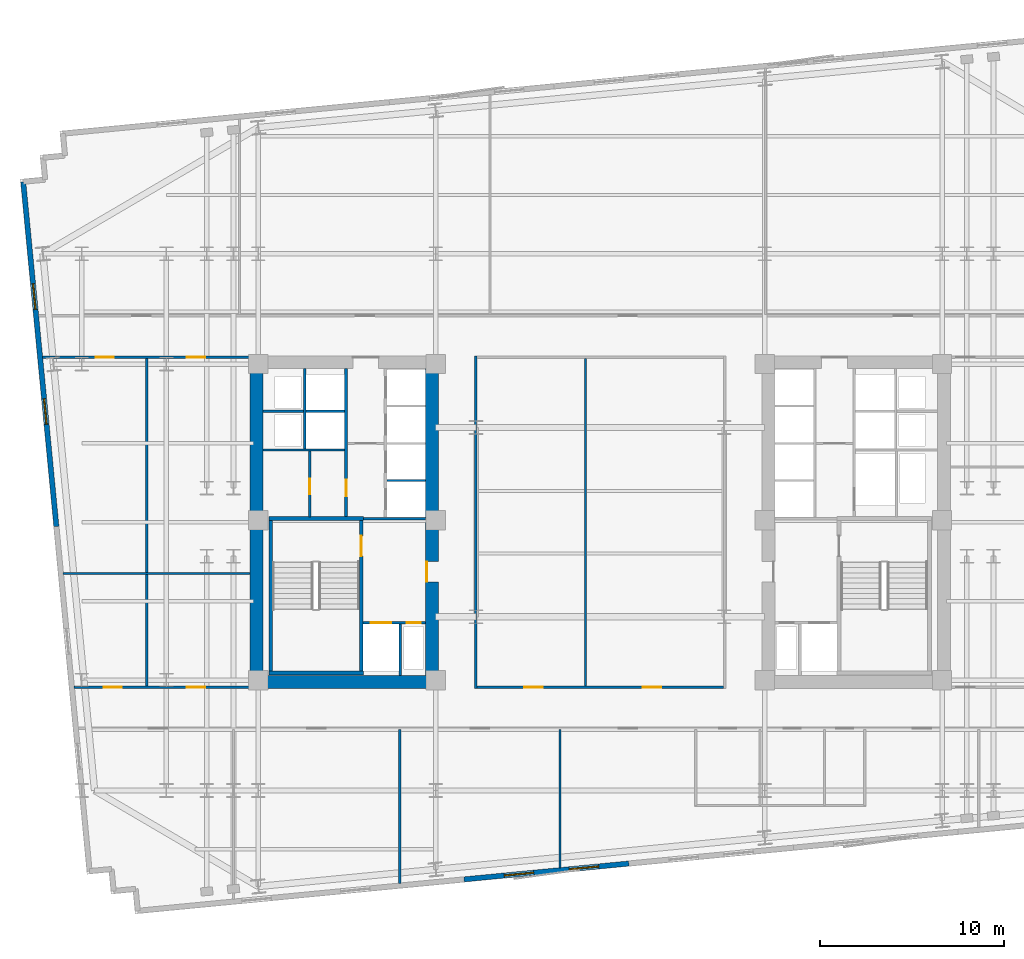
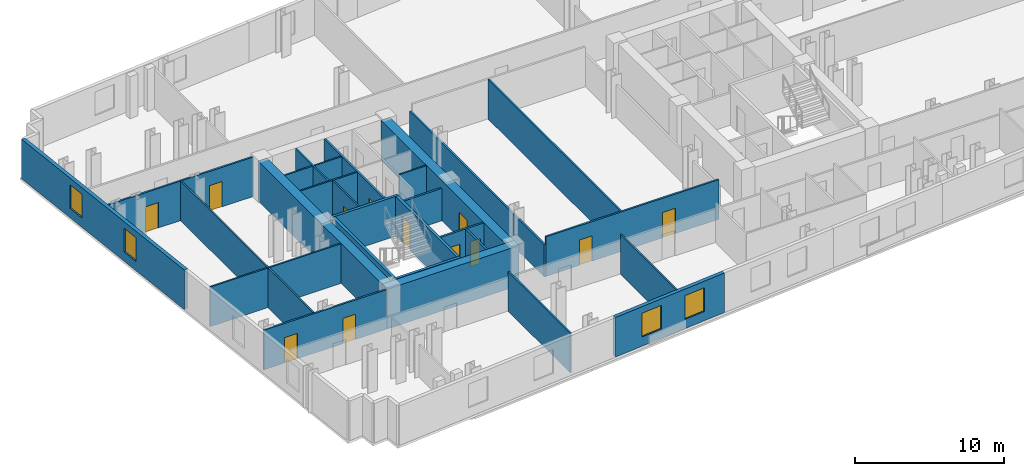
# One storey, part 4 of 10: 28 walls, 12 doors, 4 windows, 16 openings.
"""IFC4 building model written with IfcOpenShell, lengths in metres."""

from ifc_helpers import new_model, si_unit, direction, frame, frame_2d, origin, place, context, subcontext, project, spatial, rectangle, extrude, material, layer, layer_set, type_object, element, fill, save


model = new_model("IFC4")

# Units and contexts
model_context = context("Model", 3, precision=1e-05, world=origin(), true_north=direction((0.0, 1.0)))
body_context = subcontext(model_context, "Body", "Model", "MODEL_VIEW")
ifc_project = project(units=[si_unit("LENGTHUNIT", "METRE"), si_unit("AREAUNIT", "SQUARE_METRE"), si_unit("VOLUMEUNIT", "CUBIC_METRE"), si_unit("PLANEANGLEUNIT", "RADIAN"), si_unit("MASSUNIT", "GRAM", prefix="KILO")], contexts=[model_context])

# Site, building, storey
site_placement = place(None, origin())
site = spatial("IfcSite", under=ifc_project, at=site_placement, CompositionType="ELEMENT")
building_placement = place(site_placement, origin())
building = spatial("IfcBuilding", under=site, at=building_placement, Name="Velakula Bourse", CompositionType="ELEMENT")
storey_placement = place(building_placement, frame((0.0, 0.0, 88.0)))
storey = spatial("IfcBuildingStorey", under=building, at=storey_placement, Name="L23", CompositionType="ELEMENT", Elevation=88.0)

# Wall, opening, door
ifc_material_1 = material(Name="Concrete M50 (fck 50 MPa)", Category="concrete")
ifc_layer_1 = layer(ifc_material_1, 0.2099609375, Name="Concrete M50 (fck 50 MPa)", Category="concrete")
ifc_layer_set_1 = layer_set([ifc_layer_1], Name="Concrete M50 (fck 50 MPa)")
wall_type_1 = type_object("IfcWallType", Name="WL-CORE-210", PredefinedType="SHEAR", material=ifc_layer_set_1)
wall_1_placement = place(storey_placement, frame((-12.9951171875, -8.10009765625, 0.0), z_axis=(0.0, 0.0, 1.0), x_axis=(0.0, 1.0, 0.0)))
wall_1 = element("IfcWall", 1, at=wall_1_placement, inside=storey, type_object=wall_type_1, Name="L23 Core W Stairwell Shear Wall IN", PredefinedType="SHEAR", context=body_context, shape_type="SweptSolid", body=[
    extrude(rectangle(XDim=8.2001953125, YDim=0.2099609375, at=frame_2d((4.10009765625, 0.0))), origin(), (0.0, 0.0, 1.0), 3.27001953125),
])
opening_1_placement = place(wall_1_placement, frame((6.25, 0.0, 0.0)))
opening_1 = element("IfcOpeningElement", 2, at=opening_1_placement, cuts=wall_1, Name="Opening D-STW1", PredefinedType="OPENING", context=body_context, shape_type="SweptSolid", body=[
    extrude(rectangle(XDim=1.10009765625, YDim=2.14990234375, at=frame_2d((0.550048828125, 1.074951171875))), frame((0.0, 0.114990234375, 0.0), z_axis=(0.0, -1.0, 0.0), x_axis=(1.0, 0.0, 0.0)), (0.0, 0.0, 1.0), 0.22998046875),
])
ifc_material_2 = material(Name="Galvanised painted hollow steel fire door", Category="steel")
door_type_1 = type_object("IfcDoorType", Name="DR-FD120-1100x2150", OperationType="NOTDEFINED", PredefinedType="DOOR", material=ifc_material_2)
door_1_placement = place(opening_1_placement, origin())
door_1 = element("IfcDoor", 3, at=door_1_placement, inside=storey, type_object=door_type_1, Name="L23 Stair ST-W1 Fire Door", OperationType="SINGLE_SWING_LEFT", OverallHeight=2.14990234375, OverallWidth=1.10009765625, PredefinedType="DOOR", context=body_context, shape_type="SweptSolid", body=[
    extrude(rectangle(XDim=1.10009765625, YDim=2.14990234375, at=frame_2d((0.550048828125, 1.074951171875))), frame((0.0, 0.02490234375, 0.0), z_axis=(0.0, -1.0, 0.0), x_axis=(1.0, 0.0, 0.0)), (0.0, 0.0, 1.0), 0.050048828125),
])
fill(opening_1, door_1)

# Walls
wall_2_placement = place(storey_placement, frame((-17.925048828125, -8.10009765625, 0.0), z_axis=(0.0, 0.0, 1.0), x_axis=(0.0, 1.0, 0.0)))
element("IfcWall", 4, at=wall_2_placement, inside=storey, type_object=wall_type_1, Name="L23 Core W Stairwell Shear Wall OUT", PredefinedType="SHEAR", context=body_context, shape_type="SweptSolid", body=[
    extrude(rectangle(XDim=8.2001953125, YDim=0.2099609375, at=frame_2d((4.10009765625, 0.0))), origin(), (0.0, 0.0, 1.0), 3.27001953125),
])
for number, where, z_axis, x_axis, name in (
    (5, (-18.030029296875, -8.205078125, 0.0), (0.0, 0.0, 1.0), (1.0, 0.0, 0.0), "L23 Core W Stairwell Shear Wall S"),
    (6, (-12.889892578125, 0.205078125, 0.0), (0.0, 0.0, 1.0), (-1.0, 0.0, 0.0), "L23 Core W Stairwell Shear Wall N"),
):
    element("IfcWall", number, at=place(storey_placement, frame(where, z_axis=z_axis, x_axis=x_axis)), inside=storey, type_object=wall_type_1, Name=name, PredefinedType="SHEAR", context=body_context, shape_type="SweptSolid", body=[
        extrude(rectangle(XDim=5.14013671875, YDim=0.2099609375, at=frame_2d((2.570068359375, 0.0))), origin(), (0.0, 0.0, 1.0), 3.27001953125),
    ])
ifc_material_3 = material(Name="Concrete M70 (fck 70 MPa)", Category="concrete")
ifc_layer_2 = layer(ifc_material_3, 0.699951171875, Name="Concrete M70 (fck 70 MPa)", Category="concrete")
ifc_layer_set_2 = layer_set([ifc_layer_2], Name="Concrete M70 (fck 70 MPa)")
wall_type_2 = type_object("IfcWallType", Name="WL-CORE-700", PredefinedType="SHEAR", material=ifc_layer_set_2)
wall_3_placement = place(storey_placement, frame((-19.050048828125, -8.699951171875, 0.0), z_axis=(0.0, 0.0, 1.0), x_axis=(1.0, 0.0, 0.0)))
element("IfcWall", 7, at=wall_3_placement, inside=storey, type_object=wall_type_2, Name="L23 Core W Shear Wall S", PredefinedType="SHEAR", context=body_context, shape_type="SweptSolid", body=[
    extrude(rectangle(XDim=10.25, YDim=0.699951171875, at=frame_2d((5.125, 0.0))), origin(), (0.0, 0.0, 1.0), 3.27001953125),
])
wall_4_placement = place(storey_placement, frame((-18.699951171875, -8.35009765625, 0.0), z_axis=(0.0, 0.0, 1.0), x_axis=(0.0, 1.0, 0.0)))
element("IfcWall", 8, at=wall_4_placement, inside=storey, type_object=wall_type_2, Name="L23 Core W Shear Wall W", PredefinedType="SHEAR", context=body_context, shape_type="SweptSolid", body=[
    extrude(rectangle(XDim=16.7001953125, YDim=0.699951171875, at=frame_2d((8.35009765625, 0.0))), origin(), (0.0, 0.0, 1.0), 3.27001953125),
])

# Wall, opening, door
wall_5_placement = place(storey_placement, frame((-9.14990234375, -8.35009765625, 0.0), z_axis=(0.0, 0.0, 1.0), x_axis=(0.0, 1.0, 0.0)))
wall_5 = element("IfcWall", 9, at=wall_5_placement, inside=storey, type_object=wall_type_2, Name="L23 Core W Shear Wall E", PredefinedType="SHEAR", context=body_context, shape_type="SweptSolid", body=[
    extrude(rectangle(XDim=16.7001953125, YDim=0.699951171875, at=frame_2d((8.35009765625, 0.0))), origin(), (0.0, 0.0, 1.0), 3.27001953125),
])
opening_2_placement = place(wall_5_placement, frame((5.10009765625, 0.0, 0.0)))
opening_2 = element("IfcOpeningElement", 10, at=opening_2_placement, cuts=wall_5, Name="Opening D-FLW", PredefinedType="OPENING", context=body_context, shape_type="SweptSolid", body=[
    extrude(rectangle(XDim=1.10009765625, YDim=2.080078125, at=frame_2d((0.550048828125, 1.0400390625))), frame((0.0, 0.35986328125, 0.0), z_axis=(0.0, -1.0, 0.0), x_axis=(1.0, 0.0, 0.0)), (0.0, 0.0, 1.0), 0.719970703125),
])
door_type_2 = type_object("IfcDoorType", Name="DR-FD120-1100", OperationType="NOTDEFINED", PredefinedType="DOOR", material=ifc_material_2)
door_2_placement = place(opening_2_placement, origin())
door_2 = element("IfcDoor", 11, at=door_2_placement, inside=storey, type_object=door_type_2, Name="L23 Firefighting Lobby W Corridor Fire Door", OperationType="SINGLE_SWING_LEFT", OverallHeight=2.080078125, OverallWidth=1.10009765625, PredefinedType="DOOR", context=body_context, shape_type="SweptSolid", body=[
    extrude(rectangle(XDim=1.10009765625, YDim=2.080078125, at=frame_2d((0.550048828125, 1.0400390625))), frame((0.0, 0.30517578125, 0.0), z_axis=(0.0, -1.0, 0.0), x_axis=(1.0, 0.0, 0.0)), (0.0, 0.0, 1.0), 0.050048828125),
])
fill(opening_2, door_2)

# Wall, openings, windows
ifc_material_4 = material(Name="Red kilned clay facing brick masonry", Category="masonry")
ifc_layer_3 = layer(ifc_material_4, 0.280029296875, Name="Red kilned clay facing brick masonry", Category="masonry")
ifc_layer_set_3 = layer_set([ifc_layer_3], Name="Red kilned clay facing brick masonry")
wall_type_3 = type_object("IfcWallType", Name="WL-EXT-BRK-280", PredefinedType="STANDARD", material=ifc_layer_set_3)
wall_6_placement = place(storey_placement, frame((1.556396484375, -18.573486328125, 0.0), z_axis=(0.0, 0.0, 1.0), x_axis=(-0.995396794462, -0.09583956164, 0.0)))
wall_6 = element("IfcWall", 12, at=wall_6_placement, inside=storey, type_object=wall_type_3, Name="L23 S Brick Spandrel Wall B2", PredefinedType="STANDARD", context=body_context, shape_type="SweptSolid", body=[
    extrude(rectangle(XDim=9.0, YDim=0.280029296875, at=frame_2d((4.5, 0.0))), origin(), (0.0, 0.0, 1.0), 3.25),
])
opening_3_placement = place(wall_6_placement, frame((1.64990234375, 0.0, 0.760009765625)))
opening_3 = element("IfcOpeningElement", 13, at=opening_3_placement, cuts=wall_6, Name="Opening W-02", PredefinedType="OPENING", context=body_context, shape_type="SweptSolid", body=[
    extrude(rectangle(XDim=1.60009765625, YDim=1.949951171875, at=frame_2d((0.800048828125, 0.97509765625))), frame((0.0, 0.14990234375, 0.0), z_axis=(0.0, -1.0, 0.0), x_axis=(1.0, 0.0, 0.0)), (0.0, 0.0, 1.0), 0.300048828125),
])
opening_4_placement = place(wall_6_placement, frame((5.199951171875, 0.0, 0.760009765625)))
opening_4 = element("IfcOpeningElement", 14, at=opening_4_placement, cuts=wall_6, Name="Opening W-02", PredefinedType="OPENING", context=body_context, shape_type="SweptSolid", body=[
    extrude(rectangle(XDim=1.60009765625, YDim=1.949951171875, at=frame_2d((0.800048828125, 0.97509765625))), frame((0.0, 0.14990234375, 0.0), z_axis=(0.0, -1.0, 0.0), x_axis=(1.0, 0.0, 0.0)), (0.0, 0.0, 1.0), 0.300048828125),
])
ifc_material_5 = material(Name="Double-glazed solar-control Low-E glass", Category="glass")
window_type_1 = type_object("IfcWindowType", Name="WIN-TWR-1600x2100", PartitioningType="SINGLE_PANEL", PredefinedType="WINDOW", material=ifc_material_5)
window_1_placement = place(opening_3_placement, origin())
window_1 = element("IfcWindow", 15, at=window_1_placement, inside=storey, type_object=window_type_1, Name="L23 Deep-Set Recessed Window 1", OverallHeight=1.949951171875, OverallWidth=1.60009765625, PartitioningType="SINGLE_PANEL", PredefinedType="WINDOW", context=body_context, shape_type="SweptSolid", body=[
    extrude(rectangle(XDim=1.60009765625, YDim=1.949951171875, at=frame_2d((0.800048828125, 0.97509765625))), frame((0.0, 0.030029296875, 0.0), z_axis=(0.0, -1.0, 0.0), x_axis=(1.0, 0.0, 0.0)), (0.0, 0.0, 1.0), 0.06005859375),
])
fill(opening_3, window_1)
window_2_placement = place(opening_4_placement, origin())
window_2 = element("IfcWindow", 16, at=window_2_placement, inside=storey, type_object=window_type_1, Name="L23 Deep-Set Recessed Window 2", OverallHeight=1.949951171875, OverallWidth=1.60009765625, PartitioningType="SINGLE_PANEL", PredefinedType="WINDOW", context=body_context, shape_type="SweptSolid", body=[
    extrude(rectangle(XDim=1.60009765625, YDim=1.949951171875, at=frame_2d((0.800048828125, 0.97509765625))), frame((0.0, 0.030029296875, 0.0), z_axis=(0.0, -1.0, 0.0), x_axis=(1.0, 0.0, 0.0)), (0.0, 0.0, 1.0), 0.06005859375),
])
fill(opening_4, window_2)

wall_7_placement = place(storey_placement, frame((-29.584716796875, -0.23388671875, 0.0), z_axis=(0.0, 0.0, 1.0), x_axis=(-0.095841297881, 0.99539662729, 0.0)))
wall_7 = element("IfcWall", 17, at=wall_7_placement, inside=storey, type_object=wall_type_3, Name="L23 W Brick End Wall W2", PredefinedType="STANDARD", context=body_context, shape_type="SweptSolid", body=[
    extrude(rectangle(XDim=18.840087890625, YDim=0.280029296875, at=frame_2d((9.419921875, 0.0))), origin(), (0.0, 0.0, 1.0), 3.25),
])
opening_5_placement = place(wall_7_placement, frame((5.580078125, 0.0, 0.760009765625)))
opening_5 = element("IfcOpeningElement", 18, at=opening_5_placement, cuts=wall_7, Name="Opening W-03", PredefinedType="OPENING", context=body_context, shape_type="SweptSolid", body=[
    extrude(rectangle(XDim=1.39990234375, YDim=1.949951171875, at=frame_2d((0.699951171875, 0.97509765625))), frame((0.0, 0.14990234375, 0.0), z_axis=(0.0, -1.0, 0.0), x_axis=(1.0, 0.0, 0.0)), (0.0, 0.0, 1.0), 0.300048828125),
])
opening_6_placement = place(wall_7_placement, frame((11.860107421875, 0.0, 0.760009765625)))
opening_6 = element("IfcOpeningElement", 19, at=opening_6_placement, cuts=wall_7, Name="Opening W-03", PredefinedType="OPENING", context=body_context, shape_type="SweptSolid", body=[
    extrude(rectangle(XDim=1.39990234375, YDim=1.949951171875, at=frame_2d((0.699951171875, 0.97509765625))), frame((0.0, 0.14990234375, 0.0), z_axis=(0.0, -1.0, 0.0), x_axis=(1.0, 0.0, 0.0)), (0.0, 0.0, 1.0), 0.300048828125),
])
window_type_2 = type_object("IfcWindowType", Name="WIN-TWR-1400x2100", PartitioningType="SINGLE_PANEL", PredefinedType="WINDOW", material=ifc_material_5)
window_3_placement = place(opening_5_placement, origin())
window_3 = element("IfcWindow", 20, at=window_3_placement, inside=storey, type_object=window_type_2, Name="L23 Deep-Set Recessed Window 1", OverallHeight=1.949951171875, OverallWidth=1.39990234375, PartitioningType="SINGLE_PANEL", PredefinedType="WINDOW", context=body_context, shape_type="SweptSolid", body=[
    extrude(rectangle(XDim=1.39990234375, YDim=1.949951171875, at=frame_2d((0.699951171875, 0.97509765625))), frame((0.0, 0.030029296875, 0.0), z_axis=(0.0, -1.0, 0.0), x_axis=(1.0, 0.0, 0.0)), (0.0, 0.0, 1.0), 0.06005859375),
])
fill(opening_5, window_3)
window_4_placement = place(opening_6_placement, origin())
window_4 = element("IfcWindow", 21, at=window_4_placement, inside=storey, type_object=window_type_2, Name="L23 Deep-Set Recessed Window 2", OverallHeight=1.949951171875, OverallWidth=1.39990234375, PartitioningType="SINGLE_PANEL", PredefinedType="WINDOW", context=body_context, shape_type="SweptSolid", body=[
    extrude(rectangle(XDim=1.39990234375, YDim=1.949951171875, at=frame_2d((0.699951171875, 0.97509765625))), frame((0.0, 0.030029296875, 0.0), z_axis=(0.0, -1.0, 0.0), x_axis=(1.0, 0.0, 0.0)), (0.0, 0.0, 1.0), 0.06005859375),
])
fill(opening_6, window_4)

# Walls
ifc_material_6 = material(Name="Fire-rated double-layer gypsum drywall partition", Category="gypsum")
ifc_layer_4 = layer(ifc_material_6, 0.1201171875, Name="Fire-rated double-layer gypsum drywall partition", Category="gypsum")
ifc_layer_set_4 = layer_set([ifc_layer_4], Name="Fire-rated double-layer gypsum drywall partition")
wall_type_4 = type_object("IfcWallType", Name="WL-PART-120", PredefinedType="STANDARD", material=ifc_layer_set_4)
wall_8_placement = place(storey_placement, frame((-11.60009765625, 2.2548828125, 0.0), z_axis=(0.0, 0.0, 1.0), x_axis=(1.0, 0.0, 0.0)))
element("IfcWall", 22, at=wall_8_placement, inside=storey, type_object=wall_type_4, Name="L23 Interior Partition WL-CRW-L23-BDIV-0", PredefinedType="STANDARD", context=body_context, shape_type="SweptSolid", body=[
    extrude(rectangle(XDim=2.10009765625, YDim=0.110107421875, at=frame_2d((1.050048828125, 0.0))), origin(), (0.0, 0.0, 1.0), 3.25),
])
wall_9_placement = place(storey_placement, frame((-18.35009765625, 3.919921875, 0.0), z_axis=(0.0, 0.0, 1.0), x_axis=(1.0, 0.0, 0.0)))
element("IfcWall", 23, at=wall_9_placement, inside=storey, type_object=wall_type_4, Name="L23 Interior Partition WL-CRW-L23-HI-S", PredefinedType="STANDARD", context=body_context, shape_type="SweptSolid", body=[
    extrude(rectangle(XDim=4.4501953125, YDim=0.1201171875, at=frame_2d((2.22509765625, 0.0))), origin(), (0.0, 0.0, 1.0), 3.25),
])
wall_10_placement = place(storey_placement, frame((-18.35009765625, 6.030029296875, 0.0), z_axis=(0.0, 0.0, 1.0), x_axis=(1.0, 0.0, 0.0)))
element("IfcWall", 24, at=wall_10_placement, inside=storey, type_object=wall_type_4, Name="L23 Interior Partition WL-CRW-L23-RIS-MID", PredefinedType="STANDARD", context=body_context, shape_type="SweptSolid", body=[
    extrude(rectangle(XDim=2.2001953125, YDim=0.1201171875, at=frame_2d((1.10009765625, 0.0))), origin(), (0.0, 0.0, 1.0), 3.25),
])
wall_11_placement = place(storey_placement, frame((-16.074951171875, 3.97998046875, 0.0), z_axis=(0.0, 0.0, 1.0), x_axis=(0.0, 1.0, 0.0)))
element("IfcWall", 25, at=wall_11_placement, inside=storey, type_object=wall_type_4, Name="L23 Interior Partition WL-CRW-L23-RIS-F", PredefinedType="STANDARD", context=body_context, shape_type="SweptSolid", body=[
    extrude(rectangle(XDim=4.3701171875, YDim=0.1201171875, at=frame_2d((2.18505859375, 0.0))), origin(), (0.0, 0.0, 1.0), 3.25),
])
wall_12_placement = place(storey_placement, frame((-16.0, 6.030029296875, 0.0), z_axis=(0.0, 0.0, 1.0), x_axis=(1.0, 0.0, 0.0)))
element("IfcWall", 26, at=wall_12_placement, inside=storey, type_object=wall_type_4, Name="L23 Interior Partition WL-CRW-L23-HI-DIV", PredefinedType="STANDARD", context=body_context, shape_type="SweptSolid", body=[
    extrude(rectangle(XDim=2.10009765625, YDim=0.1201171875, at=frame_2d((1.050048828125, 0.0))), origin(), (0.0, 0.0, 1.0), 3.25),
])

# Wall, opening, door
wall_13_placement = place(storey_placement, frame((-15.800048828125, 0.27001953125, 0.0), z_axis=(0.0, 0.0, 1.0), x_axis=(0.0, 1.0, 0.0)))
wall_13 = element("IfcWall", 27, at=wall_13_placement, inside=storey, type_object=wall_type_4, Name="L23 Interior Partition WL-CRW-L23-K2", PredefinedType="STANDARD", context=body_context, shape_type="SweptSolid", body=[
    extrude(rectangle(XDim=3.590087890625, YDim=0.1201171875, at=frame_2d((1.794921875, 0.0))), origin(), (0.0, 0.0, 1.0), 3.25),
])
opening_7_placement = place(wall_13_placement, frame((1.25, 0.0, 0.0)))
opening_7 = element("IfcOpeningElement", 28, at=opening_7_placement, cuts=wall_13, Name="Opening D-CE1", PredefinedType="OPENING", context=body_context, shape_type="SweptSolid", body=[
    extrude(rectangle(XDim=0.85009765625, YDim=2.050048828125, at=frame_2d((0.425048828125, 1.02490234375))), frame((0.0, 0.070068359375, 0.0), z_axis=(0.0, -1.0, 0.0), x_axis=(1.0, 0.0, 0.0)), (0.0, 0.0, 1.0), 0.14013671875),
])
ifc_material_7 = material(Name="Fire-rated hardwood flush architectural door", Category="wood")
door_type_3 = type_object("IfcDoorType", Name="DR-INT-850", OperationType="NOTDEFINED", PredefinedType="DOOR", material=ifc_material_7)
door_3_placement = place(opening_7_placement, origin())
door_3 = element("IfcDoor", 29, at=door_3_placement, inside=storey, type_object=door_type_3, Name="L23 Core Equipment Store Door", OperationType="SINGLE_SWING_RIGHT", OverallHeight=2.050048828125, OverallWidth=0.85009765625, PredefinedType="DOOR", context=body_context, shape_type="SweptSolid", body=[
    extrude(rectangle(XDim=0.85009765625, YDim=2.050048828125, at=frame_2d((0.425048828125, 1.02490234375))), frame((0.0, 0.02490234375, 0.0), z_axis=(0.0, -1.0, 0.0), x_axis=(1.0, 0.0, 0.0)), (0.0, 0.0, 1.0), 0.050048828125),
])
fill(opening_7, door_3)

# Walls
wall_14_placement = place(storey_placement, frame((-10.89892578125, -19.65234375, 0.0), z_axis=(0.0, 0.0, 1.0), x_axis=(0.0, 1.0, 0.0)))
element("IfcWall", 30, at=wall_14_placement, inside=storey, type_object=wall_type_4, Name="L23 Interior Partition WL-INT-L23-SL-D6", PredefinedType="STANDARD", context=body_context, shape_type="SweptSolid", body=[
    extrude(rectangle(XDim=8.3623046875, YDim=0.1201171875, at=frame_2d((4.18115234375, 0.0))), origin(), (0.0, 0.0, 1.0), 3.25),
])
wall_15_placement = place(storey_placement, frame((-2.178955078125, -18.812744140625, 0.0), z_axis=(0.0, 0.0, 1.0), x_axis=(0.0, 1.0, 0.0)))
element("IfcWall", 31, at=wall_15_placement, inside=storey, type_object=wall_type_4, Name="L23 Interior Partition WL-INT-L23-SL-D7", PredefinedType="STANDARD", context=body_context, shape_type="SweptSolid", body=[
    extrude(rectangle(XDim=7.522705078125, YDim=0.1201171875, at=frame_2d((3.76123046875, 0.0))), origin(), (0.0, 0.0, 1.0), 3.25),
])
wall_16_placement = place(storey_placement, frame((-29.217041015625, -2.800048828125, 0.0), z_axis=(0.0, 0.0, 1.0), x_axis=(1.0, 0.0, 0.0)))
element("IfcWall", 32, at=wall_16_placement, inside=storey, type_object=wall_type_4, Name="L23 Interior Partition WL-INT-L23-W-H", PredefinedType="STANDARD", context=body_context, shape_type="SweptSolid", body=[
    extrude(rectangle(XDim=10.1669921875, YDim=0.1201171875, at=frame_2d((5.08349609375, 0.0))), origin(), (0.0, 0.0, 1.0), 3.25),
])
wall_17_placement = place(storey_placement, frame((-24.6708984375, -8.97998046875, 0.0), z_axis=(0.0, 0.0, 1.0), x_axis=(0.0, 1.0, 0.0)))
element("IfcWall", 33, at=wall_17_placement, inside=storey, type_object=wall_type_4, Name="L23 Interior Partition WL-INT-L23-W-V1", PredefinedType="STANDARD", context=body_context, shape_type="SweptSolid", body=[
    extrude(rectangle(XDim=17.9599609375, YDim=0.1201171875, at=frame_2d((8.97998046875, 0.0))), origin(), (0.0, 0.0, 1.0), 3.25),
])

# Wall, openings, doors
ifc_layer_5 = layer(ifc_material_6, 0.139892578125, Name="Fire-rated double-layer gypsum drywall partition", Category="gypsum")
ifc_layer_set_5 = layer_set([ifc_layer_5], Name="Fire-rated double-layer gypsum drywall partition")
wall_type_5 = type_object("IfcWallType", Name="WL-PART-140", PredefinedType="STANDARD", material=ifc_layer_set_5)
wall_18_placement = place(storey_placement, frame((-30.351318359375, 8.97998046875, 0.0), z_axis=(0.0, 0.0, 1.0), x_axis=(1.0, 0.0, 0.0)))
wall_18 = element("IfcWall", 34, at=wall_18_placement, inside=storey, type_object=wall_type_5, Name="L23 Interior Partition WL-INT-L23-W-NC", PredefinedType="STANDARD", context=body_context, shape_type="SweptSolid", body=[
    extrude(rectangle(XDim=11.30126953125, YDim=0.139892578125, at=frame_2d((5.650634765625, 0.0))), origin(), (0.0, 0.0, 1.0), 3.25),
])
opening_8_placement = place(wall_18_placement, frame((2.900146484375, 0.0, 0.0)))
opening_8 = element("IfcOpeningElement", 35, at=opening_8_placement, cuts=wall_18, Name="Opening D-OF1", PredefinedType="OPENING", context=body_context, shape_type="SweptSolid", body=[
    extrude(rectangle(XDim=1.0, YDim=2.080078125, at=frame_2d((0.5, 1.0400390625))), frame((0.0, 0.079833984375, 0.0), z_axis=(0.0, -1.0, 0.0), x_axis=(1.0, 0.0, 0.0)), (0.0, 0.0, 1.0), 0.159912109375),
])
opening_9_placement = place(wall_18_placement, frame((7.86083984375, 0.0, 0.0)))
opening_9 = element("IfcOpeningElement", 36, at=opening_9_placement, cuts=wall_18, Name="Opening D-OF1", PredefinedType="OPENING", context=body_context, shape_type="SweptSolid", body=[
    extrude(rectangle(XDim=1.0, YDim=2.080078125, at=frame_2d((0.5, 1.0400390625))), frame((0.0, 0.079833984375, 0.0), z_axis=(0.0, -1.0, 0.0), x_axis=(1.0, 0.0, 0.0)), (0.0, 0.0, 1.0), 0.159912109375),
])
door_type_4 = type_object("IfcDoorType", Name="DR-OFF-1000", OperationType="NOTDEFINED", PredefinedType="DOOR", material=ifc_material_7)
door_4_placement = place(opening_8_placement, origin())
door_4 = element("IfcDoor", 37, at=door_4_placement, inside=storey, type_object=door_type_4, Name="L23 Primary Dealer Office Door", OperationType="SINGLE_SWING_LEFT", OverallHeight=2.080078125, OverallWidth=1.0, PredefinedType="DOOR", context=body_context, shape_type="SweptSolid", body=[
    extrude(rectangle(XDim=1.0, YDim=2.080078125, at=frame_2d((0.5, 1.0400390625))), frame((0.0, 0.02490234375, 0.0), z_axis=(0.0, -1.0, 0.0), x_axis=(1.0, 0.0, 0.0)), (0.0, 0.0, 1.0), 0.050048828125),
])
fill(opening_8, door_4)
door_5_placement = place(opening_9_placement, origin())
door_5 = element("IfcDoor", 38, at=door_5_placement, inside=storey, type_object=door_type_4, Name="L23 Arbitration Conference Room Door", OperationType="SINGLE_SWING_RIGHT", OverallHeight=2.080078125, OverallWidth=1.0, PredefinedType="DOOR", context=body_context, shape_type="SweptSolid", body=[
    extrude(rectangle(XDim=1.0, YDim=2.080078125, at=frame_2d((0.5, 1.0400390625))), frame((0.0, 0.02490234375, 0.0), z_axis=(0.0, -1.0, 0.0), x_axis=(1.0, 0.0, 0.0)), (0.0, 0.0, 1.0), 0.050048828125),
])
fill(opening_9, door_5)

wall_19_placement = place(storey_placement, frame((-28.6220703125, -8.97998046875, 0.0), z_axis=(0.0, 0.0, 1.0), x_axis=(1.0, 0.0, 0.0)))
wall_19 = element("IfcWall", 39, at=wall_19_placement, inside=storey, type_object=wall_type_5, Name="L23 Interior Partition WL-INT-L23-W-SC", PredefinedType="STANDARD", context=body_context, shape_type="SweptSolid", body=[
    extrude(rectangle(XDim=9.572021484375, YDim=0.139892578125, at=frame_2d((4.7861328125, 0.0))), origin(), (0.0, 0.0, 1.0), 3.25),
])
opening_10_placement = place(wall_19_placement, frame((1.60546875, 0.0, 0.0)))
opening_10 = element("IfcOpeningElement", 40, at=opening_10_placement, cuts=wall_19, Name="Opening D-OF1", PredefinedType="OPENING", context=body_context, shape_type="SweptSolid", body=[
    extrude(rectangle(XDim=1.0, YDim=2.080078125, at=frame_2d((0.5, 1.0400390625))), frame((0.0, 0.079833984375, 0.0), z_axis=(0.0, -1.0, 0.0), x_axis=(1.0, 0.0, 0.0)), (0.0, 0.0, 1.0), 0.159912109375),
])
opening_11_placement = place(wall_19_placement, frame((6.131591796875, 0.0, 0.0)))
opening_11 = element("IfcOpeningElement", 41, at=opening_11_placement, cuts=wall_19, Name="Opening D-OF1", PredefinedType="OPENING", context=body_context, shape_type="SweptSolid", body=[
    extrude(rectangle(XDim=1.0, YDim=2.080078125, at=frame_2d((0.5, 1.0400390625))), frame((0.0, 0.079833984375, 0.0), z_axis=(0.0, -1.0, 0.0), x_axis=(1.0, 0.0, 0.0)), (0.0, 0.0, 1.0), 0.159912109375),
])
door_6_placement = place(opening_10_placement, origin())
door_6 = element("IfcDoor", 42, at=door_6_placement, inside=storey, type_object=door_type_4, Name="L23 Primary Dealer Office Door", OperationType="SINGLE_SWING_LEFT", OverallHeight=2.080078125, OverallWidth=1.0, PredefinedType="DOOR", context=body_context, shape_type="SweptSolid", body=[
    extrude(rectangle(XDim=1.0, YDim=2.080078125, at=frame_2d((0.5, 1.0400390625))), frame((0.0, 0.02490234375, 0.0), z_axis=(0.0, -1.0, 0.0), x_axis=(1.0, 0.0, 0.0)), (0.0, 0.0, 1.0), 0.050048828125),
])
fill(opening_10, door_6)
door_7_placement = place(opening_11_placement, origin())
door_7 = element("IfcDoor", 43, at=door_7_placement, inside=storey, type_object=door_type_4, Name="L23 Arbitration Conference Room Door", OperationType="SINGLE_SWING_RIGHT", OverallHeight=2.080078125, OverallWidth=1.0, PredefinedType="DOOR", context=body_context, shape_type="SweptSolid", body=[
    extrude(rectangle(XDim=1.0, YDim=2.080078125, at=frame_2d((0.5, 1.0400390625))), frame((0.0, 0.02490234375, 0.0), z_axis=(0.0, -1.0, 0.0), x_axis=(1.0, 0.0, 0.0)), (0.0, 0.0, 1.0), 0.050048828125),
])
fill(opening_11, door_7)

# Wall
wall_20_placement = place(storey_placement, frame((-6.780029296875, -9.050048828125, 0.0), z_axis=(0.0, 0.0, 1.0), x_axis=(0.0, 1.0, 0.0)))
element("IfcWall", 44, at=wall_20_placement, inside=storey, type_object=wall_type_5, Name="L23 Interior Partition WL-INT-L23-MID-W", PredefinedType="STANDARD", context=body_context, shape_type="SweptSolid", body=[
    extrude(rectangle(XDim=18.10009765625, YDim=0.139892578125, at=frame_2d((9.050048828125, 0.0))), origin(), (0.0, 0.0, 1.0), 2.64501953125),
])

# Wall, openings, doors
wall_21_placement = place(storey_placement, frame((-6.7099609375, -8.97998046875, 0.0), z_axis=(0.0, 0.0, 1.0), x_axis=(1.0, 0.0, 0.0)))
wall_21 = element("IfcWall", 45, at=wall_21_placement, inside=storey, type_object=wall_type_5, Name="L23 Interior Partition WL-INT-L23-MID-S", PredefinedType="STANDARD", context=body_context, shape_type="SweptSolid", body=[
    extrude(rectangle(XDim=13.419921875, YDim=0.139892578125, at=frame_2d((6.7099609375, 0.0))), origin(), (0.0, 0.0, 1.0), 3.25),
])
opening_12_placement = place(wall_21_placement, frame((2.5810546875, 0.0, 0.0)))
opening_12 = element("IfcOpeningElement", 46, at=opening_12_placement, cuts=wall_21, Name="Opening D-OF1", PredefinedType="OPENING", context=body_context, shape_type="SweptSolid", body=[
    extrude(rectangle(XDim=1.0, YDim=2.080078125, at=frame_2d((0.5, 1.0400390625))), frame((0.0, 0.079833984375, 0.0), z_axis=(0.0, -1.0, 0.0), x_axis=(1.0, 0.0, 0.0)), (0.0, 0.0, 1.0), 0.159912109375),
])
opening_13_placement = place(wall_21_placement, frame((9.0390625, 0.0, 0.0)))
opening_13 = element("IfcOpeningElement", 47, at=opening_13_placement, cuts=wall_21, Name="Opening D-OF1", PredefinedType="OPENING", context=body_context, shape_type="SweptSolid", body=[
    extrude(rectangle(XDim=1.0, YDim=2.080078125, at=frame_2d((0.5, 1.0400390625))), frame((0.0, 0.079833984375, 0.0), z_axis=(0.0, -1.0, 0.0), x_axis=(1.0, 0.0, 0.0)), (0.0, 0.0, 1.0), 0.159912109375),
])
door_8_placement = place(opening_12_placement, origin())
door_8 = element("IfcDoor", 48, at=door_8_placement, inside=storey, type_object=door_type_4, Name="L23 Central Clearing Workspace West Door", OperationType="SINGLE_SWING_LEFT", OverallHeight=2.080078125, OverallWidth=1.0, PredefinedType="DOOR", context=body_context, shape_type="SweptSolid", body=[
    extrude(rectangle(XDim=1.0, YDim=2.080078125, at=frame_2d((0.5, 1.0400390625))), frame((0.0, 0.02490234375, 0.0), z_axis=(0.0, -1.0, 0.0), x_axis=(1.0, 0.0, 0.0)), (0.0, 0.0, 1.0), 0.050048828125),
])
fill(opening_12, door_8)
door_9_placement = place(opening_13_placement, origin())
door_9 = element("IfcDoor", 49, at=door_9_placement, inside=storey, type_object=door_type_4, Name="L23 Central Arbitration Room East Door", OperationType="SINGLE_SWING_RIGHT", OverallHeight=2.080078125, OverallWidth=1.0, PredefinedType="DOOR", context=body_context, shape_type="SweptSolid", body=[
    extrude(rectangle(XDim=1.0, YDim=2.080078125, at=frame_2d((0.5, 1.0400390625))), frame((0.0, 0.02490234375, 0.0), z_axis=(0.0, -1.0, 0.0), x_axis=(1.0, 0.0, 0.0)), (0.0, 0.0, 1.0), 0.050048828125),
])
fill(opening_13, door_9)

# Wall
wall_22_placement = place(storey_placement, frame((-0.800048828125, -8.909912109375, 0.0), z_axis=(0.0, 0.0, 1.0), x_axis=(0.0, 1.0, 0.0)))
element("IfcWall", 50, at=wall_22_placement, inside=storey, type_object=wall_type_5, Name="L23 Interior Partition WL-INT-L23-MDX", PredefinedType="STANDARD", context=body_context, shape_type="SweptSolid", body=[
    extrude(rectangle(XDim=17.81982421875, YDim=0.1201171875, at=frame_2d((8.909912109375, 0.0))), origin(), (0.0, 0.0, 1.0), 3.25),
])

# Wall, openings, doors
ifc_material_8 = material(Name="Autoclaved aerated concrete blockwork masonry", Category="masonry")
ifc_layer_6 = layer(ifc_material_8, 0.14990234375, Name="Autoclaved aerated concrete blockwork masonry", Category="masonry")
ifc_layer_set_6 = layer_set([ifc_layer_6], Name="Autoclaved aerated concrete blockwork masonry")
wall_type_6 = type_object("IfcWallType", Name="WL-SHAFT-150", PredefinedType="STANDARD", material=ifc_layer_set_6)
wall_23_placement = place(storey_placement, frame((-12.89501953125, -5.47509765625, 0.0), z_axis=(0.0, 0.0, 1.0), x_axis=(1.0, 0.0, 0.0)))
wall_23 = element("IfcWall", 51, at=wall_23_placement, inside=storey, type_object=wall_type_6, Name="L23 Interior Partition WL-CRW-L23-FFL-N", PredefinedType="STANDARD", context=body_context, shape_type="SweptSolid", body=[
    extrude(rectangle(XDim=3.39501953125, YDim=0.14990234375, at=frame_2d((1.697509765625, 0.0))), origin(), (0.0, 0.0, 1.0), 3.25),
])
opening_14_placement = place(wall_23_placement, frame((0.419921875, 0.0, 0.0)))
opening_14 = element("IfcOpeningElement", 52, at=opening_14_placement, cuts=wall_23, Name="Opening LD-FFL-1", PredefinedType="OPENING", context=body_context, shape_type="SweptSolid", body=[
    extrude(rectangle(XDim=1.10009765625, YDim=2.14990234375, at=frame_2d((0.550048828125, 1.074951171875))), frame((0.0, 0.0849609375, 0.0), z_axis=(0.0, -1.0, 0.0), x_axis=(1.0, 0.0, 0.0)), (0.0, 0.0, 1.0), 0.169921875),
])
opening_15_placement = place(wall_23_placement, frame((2.3701171875, 0.0, 0.0)))
opening_15 = element("IfcOpeningElement", 53, at=opening_15_placement, cuts=wall_23, Name="Opening D-RS1", PredefinedType="OPENING", context=body_context, shape_type="SweptSolid", body=[
    extrude(rectangle(XDim=0.75, YDim=2.050048828125, at=frame_2d((0.375, 1.02490234375))), frame((0.0, 0.0849609375, 0.0), z_axis=(0.0, -1.0, 0.0), x_axis=(1.0, 0.0, 0.0)), (0.0, 0.0, 1.0), 0.169921875),
])
door_type_5 = type_object("IfcDoorType", Name="DR-RISER-800", OperationType="NOTDEFINED", PredefinedType="DOOR", material=ifc_material_2)
door_10_placement = place(opening_15_placement, origin())
door_10 = element("IfcDoor", 54, at=door_10_placement, inside=storey, type_object=door_type_5, Name="L23 Fire Riser Access Door", OperationType="SINGLE_SWING_LEFT", OverallHeight=2.050048828125, OverallWidth=0.75, PredefinedType="DOOR", context=body_context, shape_type="SweptSolid", body=[
    extrude(rectangle(XDim=0.75, YDim=2.050048828125, at=frame_2d((0.375, 1.02490234375))), frame((0.0, 0.02490234375, 0.0), z_axis=(0.0, -1.0, 0.0), x_axis=(1.0, 0.0, 0.0)), (0.0, 0.0, 1.0), 0.050048828125),
])
fill(opening_15, door_10)
ifc_material_9 = material(Name="Brushed grade 316 stainless steel", Category="steel")
door_type_6 = type_object("IfcDoorType", Name="DR-SLIDE-FFL-1100", OperationType="DOUBLE_DOOR_SLIDING", PredefinedType="DOOR", material=ifc_material_9)
door_11_placement = place(opening_14_placement, origin())
door_11 = element("IfcDoor", 55, at=door_11_placement, inside=storey, type_object=door_type_6, Name="L23 Firefighting Lift FFL-1 Sliding Landing Door", OperationType="DOUBLE_DOOR_SLIDING", OverallHeight=2.14990234375, OverallWidth=1.10009765625, PredefinedType="DOOR", context=body_context, shape_type="SweptSolid", body=[
    extrude(rectangle(XDim=1.10009765625, YDim=2.14990234375, at=frame_2d((0.550048828125, 1.074951171875))), frame((0.0, 0.02490234375, 0.0), z_axis=(0.0, -1.0, 0.0), x_axis=(1.0, 0.0, 0.0)), (0.0, 0.0, 1.0), 0.050048828125),
])
fill(opening_14, door_11)

# Walls
wall_24_placement = place(storey_placement, frame((-10.875, -8.35009765625, 0.0), z_axis=(0.0, 0.0, 1.0), x_axis=(0.0, 1.0, 0.0)))
element("IfcWall", 56, at=wall_24_placement, inside=storey, type_object=wall_type_6, Name="L23 Interior Partition WL-CRW-L23-FR-DIV", PredefinedType="STANDARD", context=body_context, shape_type="SweptSolid", body=[
    extrude(rectangle(XDim=2.800048828125, YDim=0.14990234375, at=frame_2d((1.39990234375, 0.0))), origin(), (0.0, 0.0, 1.0), 3.25),
])
wall_25_placement = place(storey_placement, frame((-12.889892578125, 0.18994140625, 0.0), z_axis=(0.0, 0.0, 1.0), x_axis=(1.0, 0.0, 0.0)))
element("IfcWall", 57, at=wall_25_placement, inside=storey, type_object=wall_type_6, Name="L23 Interior Partition WL-CRW-L23-FF-TOP", PredefinedType="STANDARD", context=body_context, shape_type="SweptSolid", body=[
    extrude(rectangle(XDim=3.389892578125, YDim=0.14990234375, at=frame_2d((1.69482421875, 0.0))), origin(), (0.0, 0.0, 1.0), 2.64501953125),
])

# Wall, opening, door
wall_26_placement = place(storey_placement, frame((-13.824951171875, 0.27001953125, 0.0), z_axis=(0.0, 0.0, 1.0), x_axis=(0.0, 1.0, 0.0)))
wall_26 = element("IfcWall", 58, at=wall_26_placement, inside=storey, type_object=wall_type_6, Name="L23 Interior Partition WL-CRW-L23-OUT-F", PredefinedType="STANDARD", context=body_context, shape_type="SweptSolid", body=[
    extrude(rectangle(XDim=8.080078125, YDim=0.14990234375, at=frame_2d((4.0400390625, 0.0))), origin(), (0.0, 0.0, 1.0), 3.25),
])
opening_16_placement = place(wall_26_placement, frame((1.14990234375, 0.0, 0.0)))
opening_16 = element("IfcOpeningElement", 59, at=opening_16_placement, cuts=wall_26, Name="Opening D-CP1", PredefinedType="OPENING", context=body_context, shape_type="SweptSolid", body=[
    extrude(rectangle(XDim=0.89990234375, YDim=2.050048828125, at=frame_2d((0.449951171875, 1.02490234375))), frame((0.0, 0.0849609375, 0.0), z_axis=(0.0, -1.0, 0.0), x_axis=(1.0, 0.0, 0.0)), (0.0, 0.0, 1.0), 0.169921875),
])
door_type_7 = type_object("IfcDoorType", Name="DR-INT-900", OperationType="NOTDEFINED", PredefinedType="DOOR", material=ifc_material_7)
door_12_placement = place(opening_16_placement, origin())
door_12 = element("IfcDoor", 60, at=door_12_placement, inside=storey, type_object=door_type_7, Name="L23 Core Tea Pantry Door", OperationType="SINGLE_SWING_RIGHT", OverallHeight=2.050048828125, OverallWidth=0.89990234375, PredefinedType="DOOR", context=body_context, shape_type="SweptSolid", body=[
    extrude(rectangle(XDim=0.89990234375, YDim=2.050048828125, at=frame_2d((0.449951171875, 1.02490234375))), frame((0.0, 0.02490234375, 0.0), z_axis=(0.0, -1.0, 0.0), x_axis=(1.0, 0.0, 0.0)), (0.0, 0.0, 1.0), 0.050048828125),
])
fill(opening_16, door_12)

save(model, "model.ifc")
